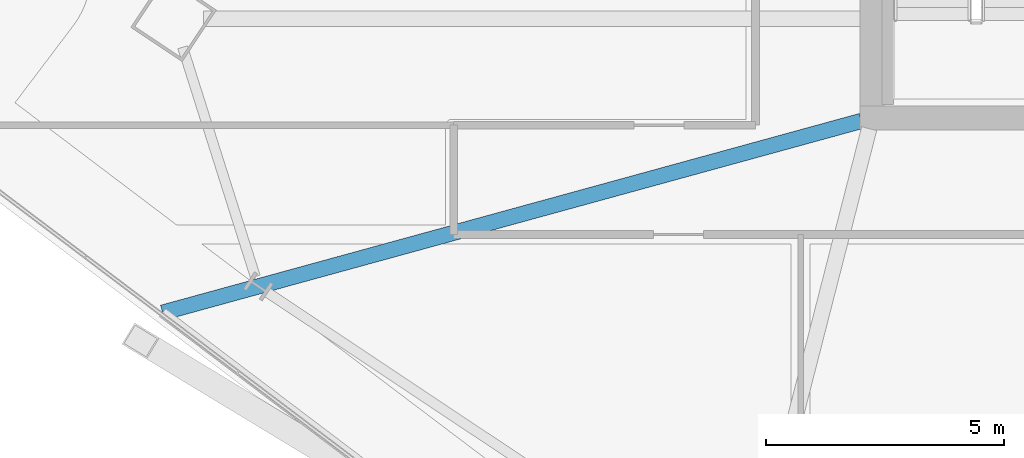
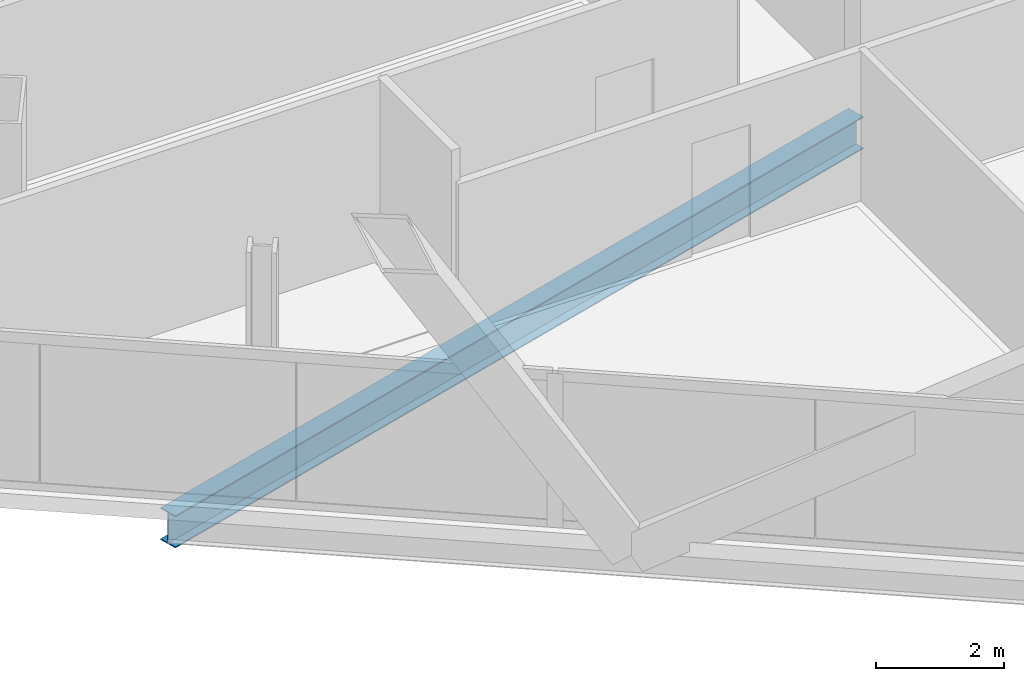
# One storey, part 6 of 34: 1 beam.
"""IFC4 building model written with IfcOpenShell, lengths in metres."""

from ifc_helpers import new_model, si_unit, direction, frame, origin, origin_2d, place, context, subcontext, project, spatial, i_section, extrude, material, material_profile, profile_set, type_object, element, save


model = new_model("IFC4")

# Units and contexts
model_context = context("Model", 3, precision=1e-05, world=origin(), true_north=direction((0.0, 1.0)))
body_context = subcontext(model_context, "Body", "Model", "MODEL_VIEW")
ifc_project = project(units=[si_unit("LENGTHUNIT", "METRE"), si_unit("AREAUNIT", "SQUARE_METRE"), si_unit("VOLUMEUNIT", "CUBIC_METRE"), si_unit("PLANEANGLEUNIT", "RADIAN"), si_unit("MASSUNIT", "GRAM", prefix="KILO")], contexts=[model_context])

# Site, building, storey
site_placement = place(None, origin())
site = spatial("IfcSite", under=ifc_project, at=site_placement, CompositionType="ELEMENT")
building_placement = place(site_placement, origin())
building = spatial("IfcBuilding", under=site, at=building_placement, Name="Haldenkirk Collegiate Tower", CompositionType="ELEMENT")
storey_placement = place(building_placement, frame((0.0, 0.0, 205.949951171875)))
storey = spatial("IfcBuildingStorey", under=building, at=storey_placement, Name="L51", CompositionType="ELEMENT", Elevation=205.949951171875)

# Beam
ifc_material = material(Name="Steel ASTM A992 Grade 50", Category="steel")
ifc_material_profile = material_profile(ifc_material, i_section(OverallWidth=0.324951171875, OverallDepth=0.615966796875, WebThickness=0.013916015625, FlangeThickness=0.021484375, at=origin_2d()), Name="W24X117")
ifc_profile_set = profile_set([ifc_material_profile], Name="Steel ASTM A992 Grade 50")
beam_type = type_object("IfcBeamType", Name="BM-GIRDER-W24X117", PredefinedType="BEAM", material=ifc_profile_set)
beam_placement = place(storey_placement, frame((12.0732421875, 13.904541015625, -0.587890625), z_axis=(0.964359958981, 0.264593782078, 0.0), x_axis=(-0.264593782078, 0.964359958981, 0.0)))
element("IfcBeam", 1, at=beam_placement, inside=storey, type_object=beam_type, Name="L51 primary floor girder 14", PredefinedType="BEAM", context=body_context, shape_type="SweptSolid", body=[
    extrude(i_section(OverallWidth=0.324951171875, OverallDepth=0.615966796875, WebThickness=0.013916015625, FlangeThickness=0.021484375, at=origin_2d()), origin(), (0.0, 0.0, 1.0), 15.24853515625),
])

save(model, "model.ifc")
